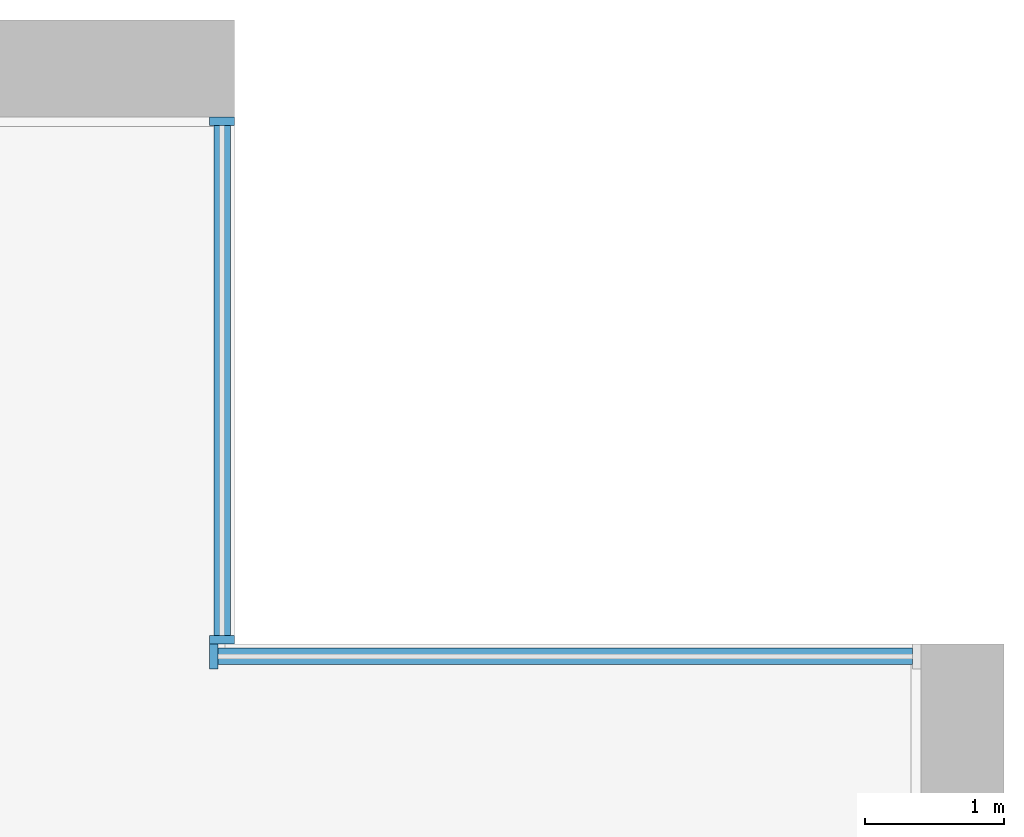
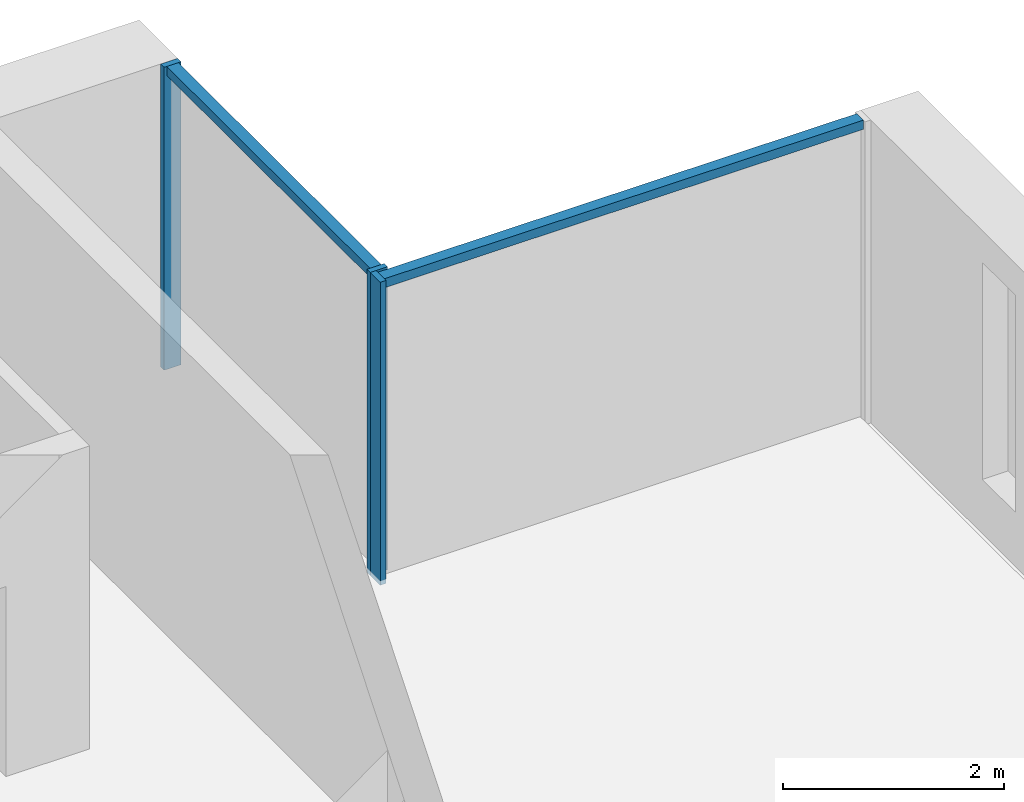
# One storey, part 5 of 17: 5 members, 2 elements without a shape of their own.
"""IFC4 building model written with IfcOpenShell, lengths in metres."""

from ifc_helpers import new_model, si_unit, direction, frame, origin, origin_2d, place, context, subcontext, project, spatial, rectangle, extrude, material, material_profile, profile_set, type_object, element, aggregate, save


model = new_model("IFC4")

# Units and contexts
model_context = context("Model", 3, precision=1e-05, world=origin(), true_north=direction((0.0, 1.0)))
body_context = subcontext(model_context, "Body", "Model", "MODEL_VIEW")
ifc_project = project(units=[si_unit("LENGTHUNIT", "METRE"), si_unit("AREAUNIT", "SQUARE_METRE"), si_unit("VOLUMEUNIT", "CUBIC_METRE"), si_unit("PLANEANGLEUNIT", "RADIAN"), si_unit("MASSUNIT", "GRAM", prefix="KILO")], contexts=[model_context])

# Site, building, storey
site_placement = place(None, origin())
site = spatial("IfcSite", under=ifc_project, at=site_placement, CompositionType="ELEMENT")
building_placement = place(site_placement, origin())
building = spatial("IfcBuilding", under=site, at=building_placement, Name="Calvaro Tower", CompositionType="ELEMENT")
storey_placement = place(building_placement, frame((0.0, 0.0, 211.75)))
storey = spatial("IfcBuildingStorey", under=building, at=storey_placement, Name="L53", CompositionType="ELEMENT", Elevation=211.75)

# Curtain wall, members
ifc_material_1 = material(Name="Anodised aluminium", Category="aluminium")
curtain_wall_type = type_object("IfcCurtainWallType", Name="Office curtain wall, upper zone", PredefinedType="NOTDEFINED", material=ifc_material_1)
curtain_wall_1_placement = place(storey_placement, origin())
curtain_wall_1 = element("IfcCurtainWall", 1, at=curtain_wall_1_placement, inside=storey, type_object=curtain_wall_type, Name="CW3 corner curtain wall", PredefinedType="NOTDEFINED")
ifc_material_2 = material(Name="Anodised aluminium", Category="aluminium")
ifc_material_profile_1 = material_profile(ifc_material_2, rectangle(XDim=0.179931640625, YDim=0.06005859375, at=origin_2d()), Name="Mullion S3 60 x 180")
ifc_profile_set_1 = profile_set([ifc_material_profile_1], Name="Anodised aluminium")
member_type_1 = type_object("IfcMemberType", Name="Mullion S3 60 x 180", PredefinedType="MULLION", material=ifc_profile_set_1)
member_1_placement = place(storey_placement, frame((66.360107421875, 41.530029296875, 0.0), z_axis=(0.0, 0.0, 1.0), x_axis=(-1.0, 0.0, 0.0)))
member_1 = element("IfcMember", 2, at=member_1_placement, type_object=member_type_1, Name="CW3 mullion 1", PredefinedType="MULLION", context=body_context, shape_type="SweptSolid", body=[
    extrude(rectangle(XDim=0.179931640625, YDim=0.06005859375, at=origin_2d()), origin(), (0.0, 0.0, 1.0), 3.35009765625),
])
member_2_placement = place(storey_placement, frame((66.360107421875, 45.27001953125, 0.0), z_axis=(0.0, 0.0, 1.0), x_axis=(-1.0, 0.0, 0.0)))
member_2 = element("IfcMember", 3, at=member_2_placement, type_object=member_type_1, Name="CW3 mullion 2", PredefinedType="MULLION", context=body_context, shape_type="SweptSolid", body=[
    extrude(rectangle(XDim=0.179931640625, YDim=0.06005859375, at=origin_2d()), origin(), (0.0, 0.0, 1.0), 3.35009765625),
])

# Curtain wall, member
curtain_wall_2_placement = place(storey_placement, origin())
curtain_wall_2 = element("IfcCurtainWall", 4, at=curtain_wall_2_placement, inside=storey, type_object=curtain_wall_type, Name="CW3 corner curtain wall", PredefinedType="NOTDEFINED")
member_3_placement = place(storey_placement, frame((66.300048828125, 41.409912109375, 0.0), z_axis=(0.0, 0.0, 1.0), x_axis=(0.0, 1.0, 0.0)))
member_3 = element("IfcMember", 5, at=member_3_placement, type_object=member_type_1, Name="CW3 mullion 1", PredefinedType="MULLION", context=body_context, shape_type="SweptSolid", body=[
    extrude(rectangle(XDim=0.179931640625, YDim=0.06005859375, at=origin_2d()), origin(), (0.0, 0.0, 1.0), 3.35009765625),
])

# Member
ifc_material_3 = material(Name="Anodised aluminium", Category="aluminium")
ifc_material_profile_2 = material_profile(ifc_material_3, rectangle(XDim=0.1201171875, YDim=0.10009765625, at=origin_2d()), Name="Transom S3 100 x 120")
ifc_profile_set_2 = profile_set([ifc_material_profile_2], Name="Anodised aluminium")
member_type_2 = type_object("IfcMemberType", Name="Transom S3 100 x 120", PredefinedType="USERDEFINED", material=ifc_profile_set_2)
member_4_placement = place(storey_placement, frame((66.360107421875, 41.56005859375, 3.300048828125), z_axis=(0.0, 1.0, 0.0), x_axis=(-1.0, 0.0, 0.0)))
member_4 = element("IfcMember", 6, at=member_4_placement, type_object=member_type_2, Name="CW3 transom 1.1", ObjectType="TRANSOM", PredefinedType="USERDEFINED", context=body_context, shape_type="SweptSolid", body=[
    extrude(rectangle(XDim=0.1201171875, YDim=0.10009765625, at=origin_2d()), origin(), (0.0, 0.0, 1.0), 3.679931640625),
])

aggregate(curtain_wall_1, [member_1, member_2, member_4])

member_5_placement = place(storey_placement, frame((66.330078125, 41.409912109375, 3.300048828125), z_axis=(1.0, 0.0, 0.0), x_axis=(0.0, 1.0, 0.0)))
member_5 = element("IfcMember", 7, at=member_5_placement, type_object=member_type_2, Name="CW3 transom 1.1", ObjectType="TRANSOM", PredefinedType="USERDEFINED", context=body_context, shape_type="SweptSolid", body=[
    extrude(rectangle(XDim=0.1201171875, YDim=0.10009765625, at=origin_2d()), origin(), (0.0, 0.0, 1.0), 5.010009765625),
])

aggregate(curtain_wall_2, [member_3, member_5])

save(model, "model.ifc")
